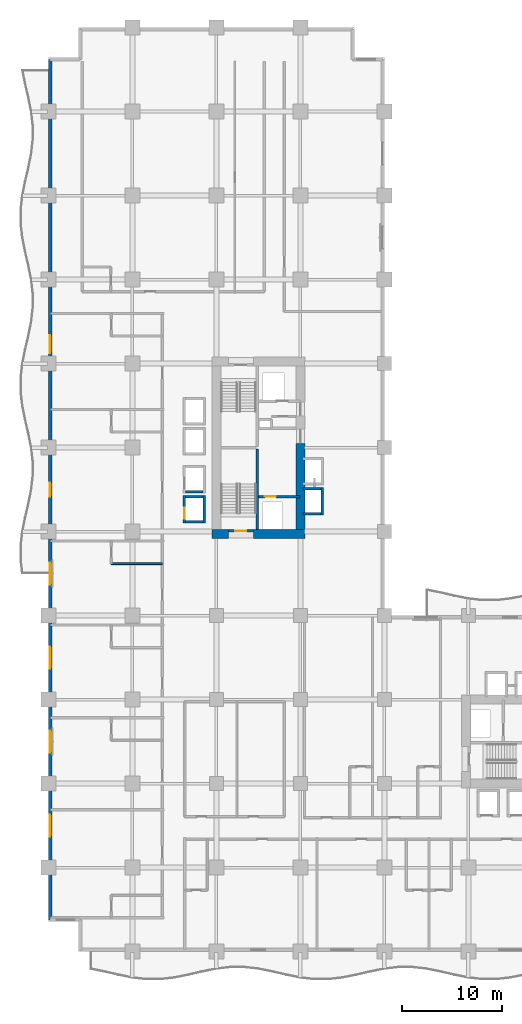
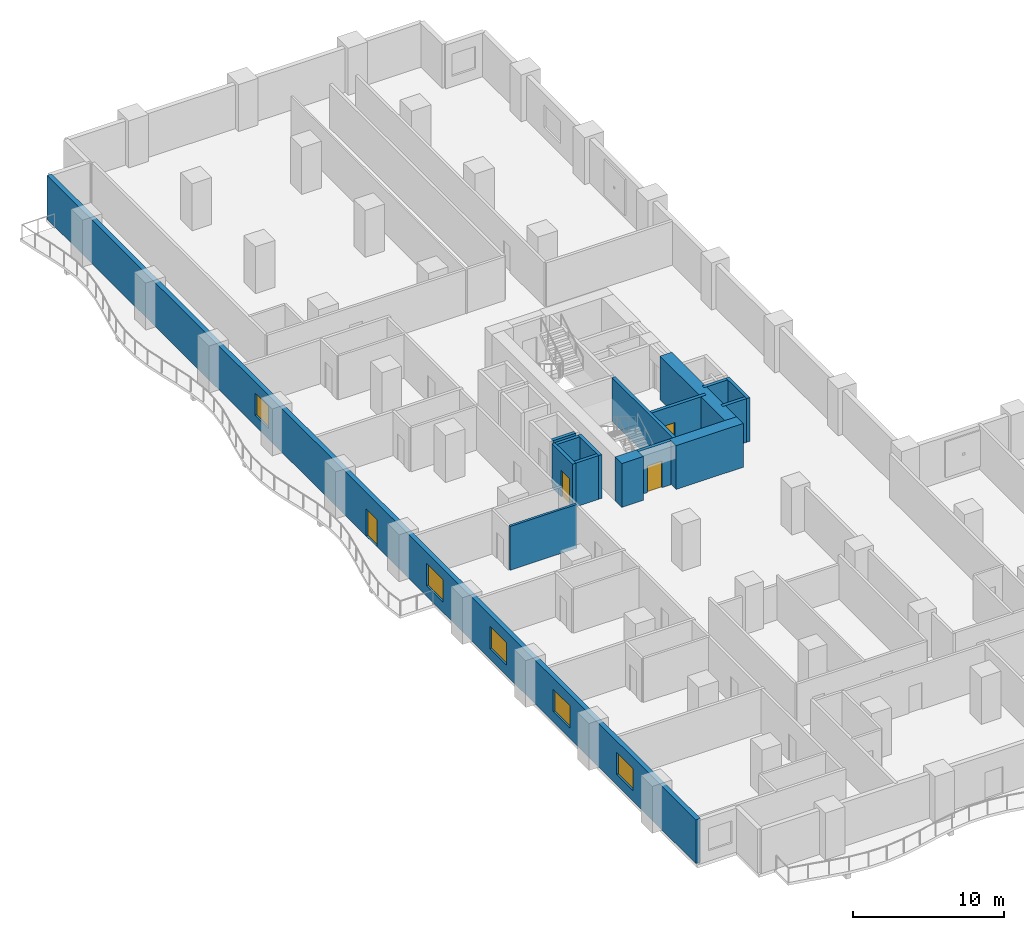
# One storey, part 9 of 22: 16 walls, 5 windows, 4 doors, 9 openings.
"""IFC4 building model written with IfcOpenShell, lengths in metres."""

from ifc_helpers import new_model, si_unit, direction, frame, frame_2d, origin, place, context, subcontext, project, spatial, rectangle, extrude, material, layer, layer_set, type_object, element, fill, save


model = new_model("IFC4")

# Units and contexts
model_context = context("Model", 3, precision=1e-05, world=origin(), true_north=direction((0.0, 1.0)))
body_context = subcontext(model_context, "Body", "Model", "MODEL_VIEW")
ifc_project = project(units=[si_unit("LENGTHUNIT", "METRE"), si_unit("AREAUNIT", "SQUARE_METRE"), si_unit("VOLUMEUNIT", "CUBIC_METRE"), si_unit("PLANEANGLEUNIT", "RADIAN"), si_unit("MASSUNIT", "GRAM", prefix="KILO")], contexts=[model_context])

# Site, building, storey
site_placement = place(None, origin())
site = spatial("IfcSite", under=ifc_project, at=site_placement, CompositionType="ELEMENT")
building_placement = place(site_placement, origin())
building = spatial("IfcBuilding", under=site, at=building_placement, Name="Koriwani Terraces Tower", CompositionType="ELEMENT")
storey_placement = place(building_placement, frame((0.0, 0.0, 43.39990234375)))
storey = spatial("IfcBuildingStorey", under=building, at=storey_placement, Name="L09", CompositionType="ELEMENT", Elevation=43.39990234375)

# Walls
ifc_material_1 = material(Name="Concrete C60/75", Category="concrete")
ifc_layer_1 = layer(ifc_material_1, 0.89990234375, Name="Concrete C60/75")
ifc_layer_set_1 = layer_set([ifc_layer_1], Name="Concrete C60/75")
wall_type_1 = type_object("IfcWallType", Name="WALL_CORE_RC_900", PredefinedType="SHEAR", material=ifc_layer_set_1)
wall_1_placement = place(storey_placement, frame((16.35009765625, 41.75, 0.0), z_axis=(0.0, 0.0, 1.0), x_axis=(1.0, 0.0, 0.0)))
element("IfcWall", 1, at=wall_1_placement, inside=storey, type_object=wall_type_1, Name="L09 West Split Core Shear Wall S1", PredefinedType="SHEAR", context=body_context, shape_type="SweptSolid", body=[
    extrude(rectangle(XDim=1.64990234375, YDim=0.89990234375, at=frame_2d((0.824951171875, 0.0))), origin(), (0.0, 0.0, 1.0), 3.550048828125),
])
wall_2_placement = place(storey_placement, frame((20.5, 41.75, 0.0), z_axis=(0.0, 0.0, 1.0), x_axis=(1.0, 0.0, 0.0)))
element("IfcWall", 2, at=wall_2_placement, inside=storey, type_object=wall_type_1, Name="L09 West Split Core Shear Wall S2", PredefinedType="SHEAR", context=body_context, shape_type="SweptSolid", body=[
    extrude(rectangle(XDim=5.14990234375, YDim=0.89990234375, at=frame_2d((2.574951171875, 0.0))), origin(), (0.0, 0.0, 1.0), 3.550048828125),
])
wall_3_placement = place(storey_placement, frame((25.199951171875, 42.199951171875, 0.0), z_axis=(0.0, 0.0, 1.0), x_axis=(0.0, 1.0, 0.0)))
element("IfcWall", 3, at=wall_3_placement, inside=storey, type_object=wall_type_1, Name="L09 West Split Core Shear Wall E1", PredefinedType="SHEAR", context=body_context, shape_type="SweptSolid", body=[
    extrude(rectangle(XDim=8.60009765625, YDim=0.89990234375, at=frame_2d((4.300048828125, 0.0))), origin(), (0.0, 0.0, 1.0), 3.550048828125),
])

# Wall, openings, door, windows
ifc_material_2 = material(Name="Concrete C50/60", Category="concrete")
ifc_layer_2 = layer(ifc_material_2, 0.35009765625, Name="Concrete C50/60")
ifc_layer_set_2 = layer_set([ifc_layer_2], Name="Concrete C50/60")
wall_type_2 = type_object("IfcWallType", Name="WALL_EXT_BRUTALIST_350", PredefinedType="STANDARD", material=ifc_layer_set_2)
wall_4_placement = place(storey_placement, frame((0.175048828125, 3.175048828125, 0.0), z_axis=(0.0, 0.0, 1.0), x_axis=(0.0, 1.0, 0.0)))
wall_4 = element("IfcWall", 4, at=wall_4_placement, inside=storey, type_object=wall_type_2, Name="L09 Fair-Faced Brutalist Exterior Wall (W)", PredefinedType="STANDARD", context=body_context, shape_type="SweptSolid", body=[
    extrude(rectangle(XDim=86.050048828125, YDim=0.35009765625, at=frame_2d((43.02490234375, 0.0))), origin(), (0.0, 0.0, 1.0), 3.550048828125),
])
opening_1_placement = place(wall_4_placement, frame((42.324951171875, 0.0, 0.0)))
opening_1 = element("IfcOpeningElement", 5, at=opening_1_placement, cuts=wall_4, Name="Opening D-09", PredefinedType="OPENING", context=body_context, shape_type="SweptSolid", body=[
    extrude(rectangle(XDim=1.39990234375, YDim=2.199951171875, at=frame_2d((0.699951171875, 1.10009765625))), frame((0.0, 0.18505859375, 0.0), z_axis=(0.0, -1.0, 0.0), x_axis=(1.0, 0.0, 0.0)), (0.0, 0.0, 1.0), 0.3701171875),
])
opening_2_placement = place(wall_4_placement, frame((8.324951171875, 0.0, 0.85009765625)))
opening_2 = element("IfcOpeningElement", 6, at=opening_2_placement, cuts=wall_4, Name="Opening W-01", PredefinedType="OPENING", context=body_context, shape_type="SweptSolid", body=[
    extrude(rectangle(XDim=2.199951171875, YDim=1.800048828125, at=frame_2d((1.10009765625, 0.89990234375))), frame((0.0, 0.18505859375, 0.0), z_axis=(0.0, -1.0, 0.0), x_axis=(1.0, 0.0, 0.0)), (0.0, 0.0, 1.0), 0.3701171875),
])
opening_3_placement = place(wall_4_placement, frame((16.72509765625, 0.0, 0.85009765625)))
opening_3 = element("IfcOpeningElement", 7, at=opening_3_placement, cuts=wall_4, Name="Opening W-01", PredefinedType="OPENING", context=body_context, shape_type="SweptSolid", body=[
    extrude(rectangle(XDim=2.199951171875, YDim=1.800048828125, at=frame_2d((1.10009765625, 0.89990234375))), frame((0.0, 0.18505859375, 0.0), z_axis=(0.0, -1.0, 0.0), x_axis=(1.0, 0.0, 0.0)), (0.0, 0.0, 1.0), 0.3701171875),
])
opening_4_placement = place(wall_4_placement, frame((25.125, 0.0, 0.85009765625)))
opening_4 = element("IfcOpeningElement", 8, at=opening_4_placement, cuts=wall_4, Name="Opening W-01", PredefinedType="OPENING", context=body_context, shape_type="SweptSolid", body=[
    extrude(rectangle(XDim=2.199951171875, YDim=1.800048828125, at=frame_2d((1.10009765625, 0.89990234375))), frame((0.0, 0.18505859375, 0.0), z_axis=(0.0, -1.0, 0.0), x_axis=(1.0, 0.0, 0.0)), (0.0, 0.0, 1.0), 0.3701171875),
])
opening_5_placement = place(wall_4_placement, frame((33.52490234375, 0.0, 0.85009765625)))
opening_5 = element("IfcOpeningElement", 9, at=opening_5_placement, cuts=wall_4, Name="Opening W-01", PredefinedType="OPENING", context=body_context, shape_type="SweptSolid", body=[
    extrude(rectangle(XDim=2.199951171875, YDim=1.800048828125, at=frame_2d((1.10009765625, 0.89990234375))), frame((0.0, 0.18505859375, 0.0), z_axis=(0.0, -1.0, 0.0), x_axis=(1.0, 0.0, 0.0)), (0.0, 0.0, 1.0), 0.3701171875),
])
opening_6_placement = place(wall_4_placement, frame((56.675048828125, 0.0, 0.85009765625)))
opening_6 = element("IfcOpeningElement", 10, at=opening_6_placement, cuts=wall_4, Name="Opening W-04", PredefinedType="OPENING", context=body_context, shape_type="SweptSolid", body=[
    extrude(rectangle(XDim=1.800048828125, YDim=1.800048828125, at=frame_2d((0.89990234375, 0.89990234375))), frame((0.0, 0.18505859375, 0.0), z_axis=(0.0, -1.0, 0.0), x_axis=(1.0, 0.0, 0.0)), (0.0, 0.0, 1.0), 0.3701171875),
])
ifc_material_3 = material(Name="Anodised Bronze Aluminium", Category="aluminium")
door_type_1 = type_object("IfcDoorType", Name="DOOR_BALCONY_GLAZED_1400X2200", OperationType="NOTDEFINED", PredefinedType="DOOR", material=ifc_material_3)
door_1_placement = place(opening_1_placement, origin())
door_1 = element("IfcDoor", 11, at=door_1_placement, inside=storey, type_object=door_type_1, Name="L09 West Balcony Glazed Door", OperationType="SINGLE_SWING_LEFT", OverallHeight=2.199951171875, OverallWidth=1.39990234375, PredefinedType="DOOR", context=body_context, shape_type="SweptSolid", body=[
    extrude(rectangle(XDim=1.39990234375, YDim=2.199951171875, at=frame_2d((0.699951171875, 1.10009765625))), frame((0.0, 0.02490234375, 0.0), z_axis=(0.0, -1.0, 0.0), x_axis=(1.0, 0.0, 0.0)), (0.0, 0.0, 1.0), 0.050048828125),
])
fill(opening_1, door_1)
ifc_material_4 = material(Name="Tempered Laminated Low-E Glass", Category="glass")
window_type_1 = type_object("IfcWindowType", Name="WIN_HOTEL_STD_2200X1800", PartitioningType="DOUBLE_PANEL_VERTICAL", PredefinedType="WINDOW", material=ifc_material_4)
window_1_placement = place(opening_2_placement, origin())
window_1 = element("IfcWindow", 12, at=window_1_placement, inside=storey, type_object=window_type_1, Name="L09 Exterior Window (W-3)", OverallHeight=1.800048828125, OverallWidth=2.199951171875, PartitioningType="SINGLE_PANEL", PredefinedType="WINDOW", context=body_context, shape_type="SweptSolid", body=[
    extrude(rectangle(XDim=2.199951171875, YDim=1.800048828125, at=frame_2d((1.10009765625, 0.89990234375))), frame((0.0, 0.030029296875, 0.0), z_axis=(0.0, -1.0, 0.0), x_axis=(1.0, 0.0, 0.0)), (0.0, 0.0, 1.0), 0.06005859375),
])
fill(opening_2, window_1)
window_2_placement = place(opening_3_placement, origin())
window_2 = element("IfcWindow", 13, at=window_2_placement, inside=storey, type_object=window_type_1, Name="L09 Exterior Window (W-6)", OverallHeight=1.800048828125, OverallWidth=2.199951171875, PartitioningType="SINGLE_PANEL", PredefinedType="WINDOW", context=body_context, shape_type="SweptSolid", body=[
    extrude(rectangle(XDim=2.199951171875, YDim=1.800048828125, at=frame_2d((1.10009765625, 0.89990234375))), frame((0.0, 0.030029296875, 0.0), z_axis=(0.0, -1.0, 0.0), x_axis=(1.0, 0.0, 0.0)), (0.0, 0.0, 1.0), 0.06005859375),
])
fill(opening_3, window_2)
window_3_placement = place(opening_4_placement, origin())
window_3 = element("IfcWindow", 14, at=window_3_placement, inside=storey, type_object=window_type_1, Name="L09 Exterior Window (W-9)", OverallHeight=1.800048828125, OverallWidth=2.199951171875, PartitioningType="SINGLE_PANEL", PredefinedType="WINDOW", context=body_context, shape_type="SweptSolid", body=[
    extrude(rectangle(XDim=2.199951171875, YDim=1.800048828125, at=frame_2d((1.10009765625, 0.89990234375))), frame((0.0, 0.030029296875, 0.0), z_axis=(0.0, -1.0, 0.0), x_axis=(1.0, 0.0, 0.0)), (0.0, 0.0, 1.0), 0.06005859375),
])
fill(opening_4, window_3)
window_4_placement = place(opening_5_placement, origin())
window_4 = element("IfcWindow", 15, at=window_4_placement, inside=storey, type_object=window_type_1, Name="L09 Exterior Window (W-12)", OverallHeight=1.800048828125, OverallWidth=2.199951171875, PartitioningType="SINGLE_PANEL", PredefinedType="WINDOW", context=body_context, shape_type="SweptSolid", body=[
    extrude(rectangle(XDim=2.199951171875, YDim=1.800048828125, at=frame_2d((1.10009765625, 0.89990234375))), frame((0.0, 0.030029296875, 0.0), z_axis=(0.0, -1.0, 0.0), x_axis=(1.0, 0.0, 0.0)), (0.0, 0.0, 1.0), 0.06005859375),
])
fill(opening_5, window_4)
window_type_2 = type_object("IfcWindowType", Name="WIN_RES_BED_1800X1800", PartitioningType="DOUBLE_PANEL_VERTICAL", PredefinedType="WINDOW", material=ifc_material_4)
window_5_placement = place(opening_6_placement, origin())
window_5 = element("IfcWindow", 16, at=window_5_placement, inside=storey, type_object=window_type_2, Name="L09 Exterior Window (W-R45)", OverallHeight=1.800048828125, OverallWidth=1.800048828125, PartitioningType="SINGLE_PANEL", PredefinedType="WINDOW", context=body_context, shape_type="SweptSolid", body=[
    extrude(rectangle(XDim=1.800048828125, YDim=1.800048828125, at=frame_2d((0.89990234375, 0.89990234375))), frame((0.0, 0.030029296875, 0.0), z_axis=(0.0, -1.0, 0.0), x_axis=(1.0, 0.0, 0.0)), (0.0, 0.0, 1.0), 0.06005859375),
])
fill(opening_6, window_5)

# Walls
ifc_material_5 = material(Name="Fire-Rated Acoustic Gypsum Partition", Category="masonry")
ifc_layer_3 = layer(ifc_material_5, 0.179931640625, Name="Fire-Rated Acoustic Gypsum Partition")
ifc_layer_set_3 = layer_set([ifc_layer_3], Name="Fire-Rated Acoustic Gypsum Partition")
wall_type_3 = type_object("IfcWallType", Name="WALL_PLUMBING_180", PredefinedType="PLUMBINGWALL", material=ifc_layer_set_3)
wall_5_placement = place(storey_placement, frame((6.300048828125, 38.800048828125, 0.0), z_axis=(0.0, 0.0, 1.0), x_axis=(1.0, 0.0, 0.0)))
element("IfcWall", 17, at=wall_5_placement, inside=storey, type_object=wall_type_3, Name="L09 Interior Wall WBTH2-L09-NW-3", PredefinedType="PLUMBINGWALL", context=body_context, shape_type="SweptSolid", body=[
    extrude(rectangle(XDim=5.099853515625, YDim=0.179931640625, at=frame_2d((2.5498046875, 0.0))), origin(), (0.0, 0.0, 1.0), 3.550048828125),
])
ifc_material_6 = material(Name="Concrete C40/50", Category="concrete")
ifc_layer_4 = layer(ifc_material_6, 0.25, Name="Concrete C40/50")
ifc_layer_set_4 = layer_set([ifc_layer_4], Name="Concrete C40/50")
wall_type_4 = type_object("IfcWallType", Name="WALL_SHAFT_RATED_250", PredefinedType="SOLIDWALL", material=ifc_layer_set_4)
wall_6_placement = place(storey_placement, frame((20.875, 42.199951171875, 0.0), z_axis=(0.0, 0.0, 1.0), x_axis=(0.0, 1.0, 0.0)))
element("IfcWall", 18, at=wall_6_placement, inside=storey, type_object=wall_type_4, Name="L09 West Split Core Web Wall MID1", PredefinedType="SOLIDWALL", context=body_context, shape_type="SweptSolid", body=[
    extrude(rectangle(XDim=8.050048828125, YDim=0.25, at=frame_2d((4.02490234375, 0.0))), origin(), (0.0, 0.0, 1.0), 3.550048828125),
])

# Wall, opening, door
wall_7_placement = place(storey_placement, frame((18.0, 42.074951171875, 0.0), z_axis=(0.0, 0.0, 1.0), x_axis=(1.0, 0.0, 0.0)))
wall_7 = element("IfcWall", 19, at=wall_7_placement, inside=storey, type_object=wall_type_4, Name="L09 Interior Wall WIN-CW-L09-STS", PredefinedType="SOLIDWALL", context=body_context, shape_type="SweptSolid", body=[
    extrude(rectangle(XDim=2.5, YDim=0.25, at=frame_2d((1.25, 0.0))), origin(), (0.0, 0.0, 1.0), 3.550048828125),
])
opening_7_placement = place(wall_7_placement, frame((0.699951171875, 0.0, 0.0)))
opening_7 = element("IfcOpeningElement", 20, at=opening_7_placement, cuts=wall_7, Name="Opening D-03", PredefinedType="OPENING", context=body_context, shape_type="SweptSolid", body=[
    extrude(rectangle(XDim=1.10009765625, YDim=2.14990234375, at=frame_2d((0.550048828125, 1.074951171875))), frame((0.0, 0.135009765625, 0.0), z_axis=(0.0, -1.0, 0.0), x_axis=(1.0, 0.0, 0.0)), (0.0, 0.0, 1.0), 0.27001953125),
])
ifc_material_7 = material(Name="Steel ASTM A572 Grade 50", Category="steel")
door_type_2 = type_object("IfcDoorType", Name="DOOR_STAIR_FIRE_1100X2150", OperationType="NOTDEFINED", PredefinedType="DOOR", material=ifc_material_7)
door_2_placement = place(opening_7_placement, origin())
door_2 = element("IfcDoor", 21, at=door_2_placement, inside=storey, type_object=door_type_2, Name="L09 Exit Stair ST-W1 Door", OperationType="SINGLE_SWING_LEFT", OverallHeight=2.14990234375, OverallWidth=1.10009765625, PredefinedType="DOOR", context=body_context, shape_type="SweptSolid", body=[
    extrude(rectangle(XDim=1.10009765625, YDim=2.14990234375, at=frame_2d((0.550048828125, 1.074951171875))), frame((0.0, 0.02490234375, 0.0), z_axis=(0.0, -1.0, 0.0), x_axis=(1.0, 0.0, 0.0)), (0.0, 0.0, 1.0), 0.050048828125),
])
fill(opening_7, door_2)

wall_8_placement = place(storey_placement, frame((21.0, 45.5, 0.0), z_axis=(0.0, 0.0, 1.0), x_axis=(1.0, 0.0, 0.0)))
wall_8 = element("IfcWall", 22, at=wall_8_placement, inside=storey, type_object=wall_type_4, Name="L09 Interior Wall WIN-CW-L09-FE", PredefinedType="SOLIDWALL", context=body_context, shape_type="SweptSolid", body=[
    extrude(rectangle(XDim=4.14990234375, YDim=0.25, at=frame_2d((2.074951171875, 0.0))), origin(), (0.0, 0.0, 1.0), 3.550048828125),
])
opening_8_placement = place(wall_8_placement, frame((0.64990234375, 0.0, 0.0)))
opening_8 = element("IfcOpeningElement", 23, at=opening_8_placement, cuts=wall_8, Name="Opening LD-01", PredefinedType="OPENING", context=body_context, shape_type="SweptSolid", body=[
    extrude(rectangle(XDim=1.10009765625, YDim=2.14990234375, at=frame_2d((0.550048828125, 1.074951171875))), frame((0.0, 0.135009765625, 0.0), z_axis=(0.0, -1.0, 0.0), x_axis=(1.0, 0.0, 0.0)), (0.0, 0.0, 1.0), 0.27001953125),
])
door_type_3 = type_object("IfcDoorType", Name="DOOR_LIFT_LANDING_1100X2200", OperationType="NOTDEFINED", PredefinedType="DOOR", material=ifc_material_7)
door_3_placement = place(opening_8_placement, origin())
door_3 = element("IfcDoor", 24, at=door_3_placement, inside=storey, type_object=door_type_3, Name="L09 Firefighting Lift FE-01 Landing Door", OperationType="SLIDING_TO_LEFT", OverallHeight=2.14990234375, OverallWidth=1.10009765625, PredefinedType="DOOR", context=body_context, shape_type="SweptSolid", body=[
    extrude(rectangle(XDim=1.10009765625, YDim=2.14990234375, at=frame_2d((0.550048828125, 1.074951171875))), frame((0.0, 0.02490234375, 0.0), z_axis=(0.0, -1.0, 0.0), x_axis=(1.0, 0.0, 0.0)), (0.0, 0.0, 1.0), 0.050048828125),
])
fill(opening_8, door_3)

wall_9_placement = place(storey_placement, frame((13.60009765625, 42.875, 0.0), z_axis=(0.0, 0.0, 1.0), x_axis=(0.0, 1.0, 0.0)))
wall_9 = element("IfcWall", 25, at=wall_9_placement, inside=storey, type_object=wall_type_4, Name="L09 Interior Wall WIN-LF-PE-L1-L09-F", PredefinedType="SOLIDWALL", context=body_context, shape_type="SweptSolid", body=[
    extrude(rectangle(XDim=2.75, YDim=0.25, at=frame_2d((1.375, 0.0))), origin(), (0.0, 0.0, 1.0), 3.550048828125),
])
opening_9_placement = place(wall_9_placement, frame((0.39990234375, 0.0, 0.0)))
opening_9 = element("IfcOpeningElement", 26, at=opening_9_placement, cuts=wall_9, Name="Opening LD-01", PredefinedType="OPENING", context=body_context, shape_type="SweptSolid", body=[
    extrude(rectangle(XDim=1.10009765625, YDim=2.14990234375, at=frame_2d((0.550048828125, 1.074951171875))), frame((0.0, 0.135009765625, 0.0), z_axis=(0.0, -1.0, 0.0), x_axis=(1.0, 0.0, 0.0)), (0.0, 0.0, 1.0), 0.27001953125),
])
door_4_placement = place(opening_9_placement, origin())
door_4 = element("IfcDoor", 27, at=door_4_placement, inside=storey, type_object=door_type_3, Name="L09 Passenger Lift PE-L1 Landing Door", OperationType="SLIDING_TO_LEFT", OverallHeight=2.14990234375, OverallWidth=1.10009765625, PredefinedType="DOOR", context=body_context, shape_type="SweptSolid", body=[
    extrude(rectangle(XDim=1.10009765625, YDim=2.14990234375, at=frame_2d((0.550048828125, 1.074951171875))), frame((0.0, 0.02490234375, 0.0), z_axis=(0.0, -1.0, 0.0), x_axis=(1.0, 0.0, 0.0)), (0.0, 0.0, 1.0), 0.050048828125),
])
fill(opening_9, door_4)

# Walls
wall_10_placement = place(storey_placement, frame((15.60009765625, 42.875, 0.0), z_axis=(0.0, 0.0, 1.0), x_axis=(0.0, 1.0, 0.0)))
element("IfcWall", 28, at=wall_10_placement, inside=storey, type_object=wall_type_4, Name="L09 Interior Wall WIN-LF-PE-L1-L09-B", PredefinedType="SOLIDWALL", context=body_context, shape_type="SweptSolid", body=[
    extrude(rectangle(XDim=2.75, YDim=0.25, at=frame_2d((1.375, 0.0))), origin(), (0.0, 0.0, 1.0), 3.550048828125),
])
for number, where, z_axis, x_axis, name in (
    (29, (13.72509765625, 43.0, 0.0), (0.0, 0.0, 1.0), (1.0, 0.0, 0.0), "L09 Interior Wall WIN-LF-PE-L1-L09-S"),
    (30, (13.72509765625, 45.5, 0.0), (0.0, 0.0, 1.0), (1.0, 0.0, 0.0), "L09 Interior Wall WIN-LF-PE-L1-L09-N"),
    (31, (13.72509765625, 46.0, 0.0), (0.0, 0.0, 1.0), (1.0, 0.0, 0.0), "L09 Interior Wall WIN-LF-PE-L2-L09-S"),
):
    element("IfcWall", number, at=place(storey_placement, frame(where, z_axis=z_axis, x_axis=x_axis)), inside=storey, type_object=wall_type_4, Name=name, PredefinedType="SOLIDWALL", context=body_context, shape_type="SweptSolid", body=[
        extrude(rectangle(XDim=1.75, YDim=0.25, at=frame_2d((0.875, 0.0))), origin(), (0.0, 0.0, 1.0), 3.550048828125),
    ])
wall_11_placement = place(storey_placement, frame((27.39990234375, 43.675048828125, 0.0), z_axis=(0.0, 0.0, 1.0), x_axis=(0.0, 1.0, 0.0)))
element("IfcWall", 32, at=wall_11_placement, inside=storey, type_object=wall_type_4, Name="L09 Interior Wall WIN-LF-PE-H1-L09-F", PredefinedType="SOLIDWALL", context=body_context, shape_type="SweptSolid", body=[
    extrude(rectangle(XDim=2.75, YDim=0.25, at=frame_2d((1.375, 0.0))), origin(), (0.0, 0.0, 1.0), 3.550048828125),
])
for number, where, z_axis, x_axis, name in (
    (33, (25.449951171875, 43.800048828125, 0.0), (0.0, 0.0, 1.0), (1.0, 0.0, 0.0), "L09 Interior Wall WIN-LF-PE-H1-L09-S"),
    (34, (25.449951171875, 46.300048828125, 0.0), (0.0, 0.0, 1.0), (1.0, 0.0, 0.0), "L09 Interior Wall WIN-LF-PE-H1-L09-N"),
):
    element("IfcWall", number, at=place(storey_placement, frame(where, z_axis=z_axis, x_axis=x_axis)), inside=storey, type_object=wall_type_4, Name=name, PredefinedType="SOLIDWALL", context=body_context, shape_type="SweptSolid", body=[
        extrude(rectangle(XDim=1.824951171875, YDim=0.25, at=frame_2d((0.91259765625, 0.0))), origin(), (0.0, 0.0, 1.0), 3.550048828125),
    ])

save(model, "model.ifc")
